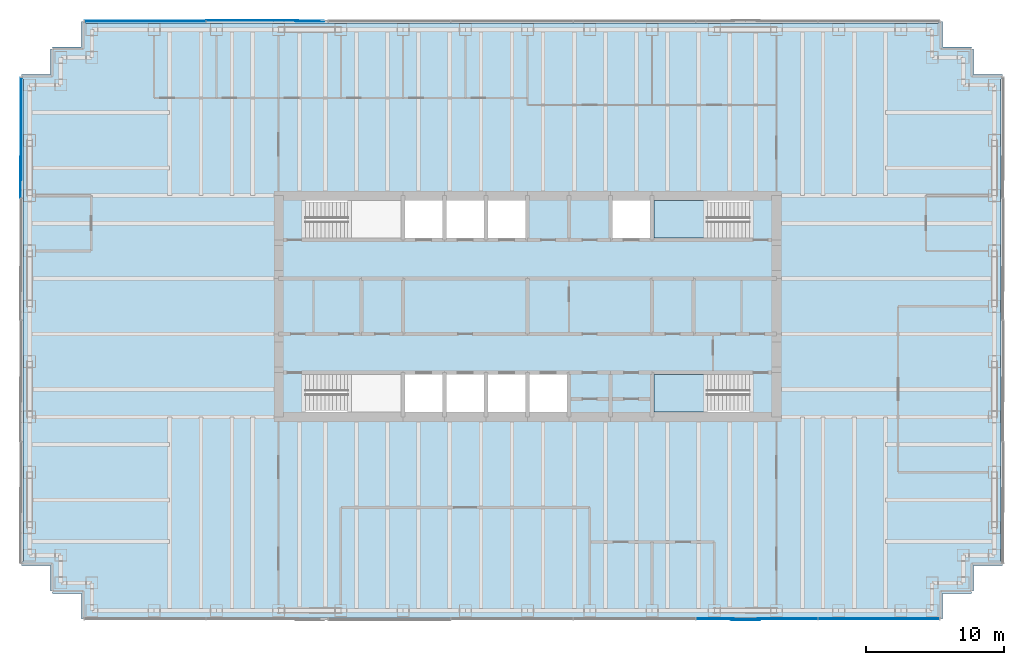
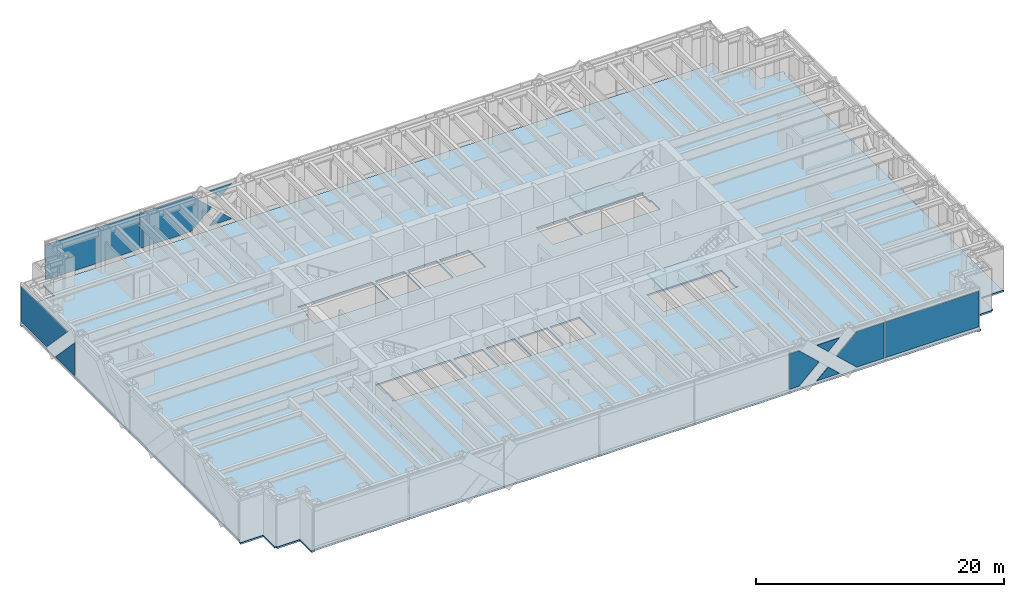
# One storey, part 11 of 17: 11 plates, 3 slabs, 5 elements without a shape of their own.
"""IFC4 building model written with IfcOpenShell, lengths in metres."""

from ifc_helpers import new_model, si_unit, direction, frame, origin, origin_2d, place, context, subcontext, project, spatial, polyline, rectangle, outline, extrude, material, layer, layer_set, type_object, element, aggregate, save


model = new_model("IFC4")

# Units and contexts
model_context = context("Model", 3, precision=1e-05, world=origin(), true_north=direction((0.0, 1.0)))
body_context = subcontext(model_context, "Body", "Model", "MODEL_VIEW")
ifc_project = project(units=[si_unit("LENGTHUNIT", "METRE"), si_unit("AREAUNIT", "SQUARE_METRE"), si_unit("VOLUMEUNIT", "CUBIC_METRE"), si_unit("PLANEANGLEUNIT", "RADIAN"), si_unit("MASSUNIT", "GRAM", prefix="KILO")], contexts=[model_context])

# Site, building, storey
site_placement = place(None, origin())
site = spatial("IfcSite", under=ifc_project, at=site_placement, CompositionType="ELEMENT")
building_placement = place(site_placement, origin())
building = spatial("IfcBuilding", under=site, at=building_placement, Name="Rheinbord Bourse Tower", CompositionType="ELEMENT")
storey_placement = place(building_placement, frame((0.0, 0.0, 317.300048828125)))
storey = spatial("IfcBuildingStorey", under=building, at=storey_placement, Name="L72", CompositionType="ELEMENT", Elevation=317.300048828125)

# Slab
ifc_material_1 = material(Name="Concrete C30/37", Category="concrete")
ifc_layer_1 = layer(ifc_material_1, 0.159912109375)
ifc_layer_set_1 = layer_set([ifc_layer_1], Name="COMPOSITE FLOOR SLAB 160")
slab_type_1 = type_object("IfcSlabType", Name="COMPOSITE FLOOR SLAB 160", PredefinedType="FLOOR", material=ifc_layer_set_1)
slab_1_placement = place(storey_placement, frame((0.0, 0.0, -0.16015625)))
element("IfcSlab", 1, at=slab_1_placement, inside=storey, type_object=slab_type_1, Name="Floor slab L72", PredefinedType="FLOOR", context=body_context, shape_type="SweptSolid", body=[
    extrude(outline(polyline([(1.64990234375, 3.39990234375), (1.5, 3.39990234375), (1.5, 5.25), (-0.60009765625, 5.25), (-0.60009765625, 5.550048828125), (-0.5, 5.550048828125), (-0.5, 40.449951171875), (-0.60009765625, 40.449951171875), (-0.60009765625, 40.75), (1.5, 40.75), (1.5, 42.60009765625), (1.64990234375, 42.60009765625), (1.64990234375, 42.75), (3.75, 42.75), (3.75, 44.60009765625), (4.050048828125, 44.60009765625), (4.050048828125, 44.5), (65.699951171875, 44.5), (65.699951171875, 44.60009765625), (66.0, 44.60009765625), (66.0, 42.75), (68.10009765625, 42.75), (68.10009765625, 42.60009765625), (68.25, 42.60009765625), (68.25, 40.75), (70.35009765625, 40.75), (70.35009765625, 40.449951171875), (70.25, 40.449951171875), (70.25, 5.550048828125), (70.35009765625, 5.550048828125), (70.35009765625, 5.25), (68.25, 5.25), (68.25, 3.39990234375), (68.10009765625, 3.39990234375), (68.10009765625, 3.25), (66.0, 3.25), (66.0, 1.39990234375), (65.699951171875, 1.39990234375), (65.699951171875, 1.5), (4.050048828125, 1.5), (4.050048828125, 1.39990234375), (3.75, 1.39990234375), (3.75, 3.25), (1.64990234375, 3.25), (1.64990234375, 3.39990234375)]), holes=[polyline([(19.949951171875, 19.050048828125), (26.85009765625, 19.050048828125), (26.85009765625, 16.35009765625), (19.949951171875, 16.35009765625), (19.949951171875, 16.449951171875), (20.10009765625, 16.449951171875), (20.10009765625, 17.64990234375), (19.949951171875, 17.64990234375), (19.949951171875, 19.050048828125)]), polyline([(19.949951171875, 31.64990234375), (26.85009765625, 31.64990234375), (26.85009765625, 28.949951171875), (19.949951171875, 28.949951171875), (19.949951171875, 30.35009765625), (20.10009765625, 30.35009765625), (20.10009765625, 31.550048828125), (19.949951171875, 31.550048828125), (19.949951171875, 31.64990234375)]), polyline([(52.050048828125, 16.35009765625), (45.14990234375, 16.35009765625), (45.14990234375, 19.050048828125), (52.050048828125, 19.050048828125), (52.050048828125, 17.64990234375), (51.89990234375, 17.64990234375), (51.89990234375, 16.449951171875), (52.050048828125, 16.449951171875), (52.050048828125, 16.35009765625)]), polyline([(52.050048828125, 28.949951171875), (45.14990234375, 28.949951171875), (45.14990234375, 31.64990234375), (52.050048828125, 31.64990234375), (52.050048828125, 31.550048828125), (51.89990234375, 31.550048828125), (51.89990234375, 30.35009765625), (52.050048828125, 30.35009765625), (52.050048828125, 28.949951171875)]), polyline([(27.14990234375, 16.35009765625), (27.14990234375, 19.050048828125), (29.85009765625, 19.050048828125), (29.85009765625, 16.35009765625), (27.14990234375, 16.35009765625)]), polyline([(27.14990234375, 28.949951171875), (27.14990234375, 31.64990234375), (29.85009765625, 31.64990234375), (29.85009765625, 28.949951171875), (27.14990234375, 28.949951171875)]), polyline([(30.14990234375, 16.35009765625), (30.14990234375, 19.050048828125), (32.85009765625, 19.050048828125), (32.85009765625, 16.35009765625), (30.14990234375, 16.35009765625)]), polyline([(30.14990234375, 28.949951171875), (30.14990234375, 31.64990234375), (32.85009765625, 31.64990234375), (32.85009765625, 28.949951171875), (30.14990234375, 28.949951171875)]), polyline([(33.14990234375, 16.35009765625), (33.14990234375, 19.050048828125), (35.85009765625, 19.050048828125), (35.85009765625, 16.35009765625), (33.14990234375, 16.35009765625)]), polyline([(33.14990234375, 28.949951171875), (33.14990234375, 31.64990234375), (35.85009765625, 31.64990234375), (35.85009765625, 28.949951171875), (33.14990234375, 28.949951171875)]), polyline([(36.14990234375, 16.35009765625), (36.14990234375, 19.050048828125), (38.85009765625, 19.050048828125), (38.85009765625, 16.35009765625), (36.14990234375, 16.35009765625)]), polyline([(42.14990234375, 28.949951171875), (42.14990234375, 31.64990234375), (44.85009765625, 31.64990234375), (44.85009765625, 28.949951171875), (42.14990234375, 28.949951171875)])]), origin(), (0.0, 0.0, 1.0), 0.16015625),
])

# Curtain wall, plates
ifc_material_2 = material(Name="Dark glass and black aluminium", Category="aluminium")
curtain_wall_type = type_object("IfcCurtainWallType", Name="CW3 DARK GLASS CURTAIN WALL", PredefinedType="USERDEFINED", material=ifc_material_2)
curtain_wall_1_placement = place(storey_placement, origin())
curtain_wall_1 = element("IfcCurtainWall", 2, at=curtain_wall_1_placement, inside=storey, type_object=curtain_wall_type, Name="Curtain wall CW3 S L72", ObjectType="UNITISED CURTAIN WALL", PredefinedType="USERDEFINED")
ifc_material_3 = material(Name="Dark tinted triple insulating glass", Category="glass")
ifc_layer_2 = layer(ifc_material_3, 0.055908203125)
ifc_layer_set_2 = layer_set([ifc_layer_2], Name="CW3 DARK GLASS PANEL")
plate_type = type_object("IfcPlateType", Name="CW3 DARK GLASS PANEL", PredefinedType="CURTAIN_PANEL", material=ifc_layer_set_2)
plate_1_placement = place(storey_placement, frame((61.40869140625, 1.39990234375, 0.349853515625), z_axis=(0.0, 0.0, 1.0), x_axis=(1.0, 0.0, 0.0)))
plate_1 = element("IfcPlate", 3, at=plate_1_placement, type_object=plate_type, Name="CW3 panel 7.1", PredefinedType="CURTAIN_PANEL", context=body_context, shape_type="SweptSolid", body=[
    extrude(rectangle(XDim=8.75244140625, YDim=0.055908203125, at=origin_2d()), origin(), (0.0, 0.0, 1.0), 3.5),
])
plate_2_placement = place(storey_placement, frame((48.181884765625, 1.3720703125, 0.349853515625), z_axis=(0.0, 1.0, 0.0), x_axis=(0.0, 0.0, 1.0)))
plate_2 = element("IfcPlate", 4, at=plate_2_placement, type_object=plate_type, Name="CW3 glass facet 1", PredefinedType="CURTAIN_PANEL", context=body_context, shape_type="SweptSolid", body=[
    extrude(outline(polyline([(0.0, 0.0), (3.5, 0.0), (3.5, 0.881103515625), (1.75, 2.756103515625), (0.0, 0.881103515625), (0.0, 0.0)])), origin(), (0.0, 0.0, 1.0), 0.055908203125),
])
plate_3_placement = place(storey_placement, frame((50.68701171875, 1.31103515625, 0.349853515625), z_axis=(0.0, 1.0, 0.0), x_axis=(0.731032934472, 0.0, 0.682342178616)))
plate_3 = element("IfcPlate", 5, at=plate_3_placement, type_object=plate_type, Name="CW3 glass facet 2", PredefinedType="CURTAIN_PANEL", context=body_context, shape_type="SweptSolid", body=[
    extrude(outline(polyline([(0.0, 0.0), (1.4541015625, 0.0), (1.55419921875, 1.45068359375), (0.0, 0.0)])), origin(), (0.0, 0.0, 1.0), 0.055908203125),
])
plate_4_placement = place(storey_placement, frame((52.81298828125, 1.31103515625, 3.849853515625), z_axis=(0.0, 1.0, 0.0), x_axis=(-0.731116689111, 0.0, -0.682252436348)))
plate_4 = element("IfcPlate", 6, at=plate_4_placement, type_object=plate_type, Name="CW3 glass facet 3", PredefinedType="CURTAIN_PANEL", context=body_context, shape_type="SweptSolid", body=[
    extrude(outline(polyline([(0.0, 0.0), (1.453857421875, 0.0), (1.554443359375, 1.450439453125), (0.0, 0.0)])), origin(), (0.0, 0.0, 1.0), 0.055908203125),
])
plate_5_placement = place(storey_placement, frame((56.967041015625, 1.3720703125, 3.849853515625), z_axis=(0.0, 1.0, 0.0), x_axis=(0.0, 0.0, -1.0)))
plate_5 = element("IfcPlate", 7, at=plate_5_placement, type_object=plate_type, Name="CW3 glass facet 4", PredefinedType="CURTAIN_PANEL", context=body_context, shape_type="SweptSolid", body=[
    extrude(outline(polyline([(0.0, 0.0), (3.5, 0.0), (3.5, 2.530029296875), (1.75, 4.405029296875), (0.0, 2.530029296875), (0.0, 0.0)])), origin(), (0.0, 0.0, 1.0), 0.055908203125),
])
aggregate(curtain_wall_1, [plate_1, plate_2, plate_3, plate_4, plate_5])

curtain_wall_2_placement = place(storey_placement, origin())
curtain_wall_2 = element("IfcCurtainWall", 8, at=curtain_wall_2_placement, inside=storey, type_object=curtain_wall_type, Name="Curtain wall CW3 N L72", ObjectType="UNITISED CURTAIN WALL", PredefinedType="USERDEFINED")
plate_6_placement = place(storey_placement, frame((8.34130859375, 44.60009765625, 0.349853515625), z_axis=(0.0, 0.0, 1.0), x_axis=(-1.0, 0.0, 0.0)))
plate_6 = element("IfcPlate", 9, at=plate_6_placement, type_object=plate_type, Name="CW3 panel 7.1", PredefinedType="CURTAIN_PANEL", context=body_context, shape_type="SweptSolid", body=[
    extrude(rectangle(XDim=8.75244140625, YDim=0.055908203125, at=origin_2d()), origin(), (0.0, 0.0, 1.0), 3.5),
])
plate_7_placement = place(storey_placement, frame((21.31298828125, 44.6279296875, 0.349853515625), z_axis=(0.0, -1.0, 0.0), x_axis=(-0.731032934472, 0.0, 0.682342178616)))
plate_7 = element("IfcPlate", 10, at=plate_7_placement, type_object=plate_type, Name="CW3 glass facet 2", PredefinedType="CURTAIN_PANEL", context=body_context, shape_type="SweptSolid", body=[
    extrude(outline(polyline([(0.0, 0.0), (1.4541015625, 0.0), (1.55419921875, 1.45068359375), (0.0, 0.0)])), origin(), (0.0, 0.0, 1.0), 0.055908203125),
])
plate_8_placement = place(storey_placement, frame((19.18701171875, 44.6279296875, 3.849853515625), z_axis=(0.0, -1.0, 0.0), x_axis=(0.731116689111, 0.0, -0.682252436348)))
plate_8 = element("IfcPlate", 11, at=plate_8_placement, type_object=plate_type, Name="CW3 glass facet 3", PredefinedType="CURTAIN_PANEL", context=body_context, shape_type="SweptSolid", body=[
    extrude(outline(polyline([(0.0, 0.0), (1.453857421875, 0.0), (1.554443359375, 1.450439453125), (0.0, 0.0)])), origin(), (0.0, 0.0, 1.0), 0.055908203125),
])
plate_9_placement = place(storey_placement, frame((12.781982421875, 44.68896484375, 3.849853515625), z_axis=(0.0, -1.0, 0.0), x_axis=(0.0, 0.0, -1.0)))
plate_9 = element("IfcPlate", 12, at=plate_9_placement, type_object=plate_type, Name="CW3 glass facet 4", PredefinedType="CURTAIN_PANEL", context=body_context, shape_type="SweptSolid", body=[
    extrude(outline(polyline([(0.0, 0.0), (3.5, 0.0), (3.5, 4.781005859375), (1.75, 6.656005859375), (0.0, 4.781005859375), (0.0, 0.0)])), origin(), (0.0, 0.0, 1.0), 0.055908203125),
])
aggregate(curtain_wall_2, [plate_6, plate_7, plate_8, plate_9])

curtain_wall_3_placement = place(storey_placement, origin())
curtain_wall_3 = element("IfcCurtainWall", 13, at=curtain_wall_3_placement, inside=storey, type_object=curtain_wall_type, Name="Curtain wall CW3 W L72", ObjectType="UNITISED CURTAIN WALL", PredefinedType="USERDEFINED")
plate_10_placement = place(storey_placement, frame((-0.6279296875, 40.534912109375, 0.349853515625), z_axis=(1.0, 0.0, 0.0), x_axis=(0.0, 0.0, 1.0)))
plate_10 = element("IfcPlate", 14, at=plate_10_placement, type_object=plate_type, Name="CW3 glass facet 1", PredefinedType="CURTAIN_PANEL", context=body_context, shape_type="SweptSolid", body=[
    extrude(outline(polyline([(0.0, 0.0), (3.5, 0.0), (3.5, 7.43701171875), (0.0, 4.10302734375), (0.0, 0.0)])), origin(), (0.0, 0.0, 1.0), 0.055908203125),
])
plate_11_placement = place(storey_placement, frame((-0.68896484375, 31.8330078125, 0.349853515625), z_axis=(1.0, 0.0, 0.0), x_axis=(0.0, 1.0, 0.0)))
plate_11 = element("IfcPlate", 15, at=plate_11_placement, type_object=plate_type, Name="CW3 glass facet 2", PredefinedType="CURTAIN_PANEL", context=body_context, shape_type="SweptSolid", body=[
    extrude(outline(polyline([(0.0, 0.0), (3.069091796875, 0.0), (0.0, 3.22314453125), (0.0, 0.0)])), origin(), (0.0, 0.0, 1.0), 0.055908203125),
])
aggregate(curtain_wall_3, [plate_10, plate_11])

# Stair, slab
ifc_material_4 = material(Name="Concrete C30/37", Category="concrete")
stair_type = type_object("IfcStairType", Name="CORE STAIR HALF TURN 4200", PredefinedType="HALF_TURN_STAIR", material=ifc_material_4)
stair_1_placement = place(storey_placement, origin())
stair_1 = element("IfcStair", 16, at=stair_1_placement, inside=storey, type_object=stair_type, Name="Stair ST3 L72, type CS6", PredefinedType="HALF_TURN_STAIR")
ifc_material_5 = material(Name="Concrete C30/37", Category="concrete")
ifc_layer_3 = layer(ifc_material_5, 0.199951171875)
ifc_layer_set_3 = layer_set([ifc_layer_3], Name="STAIR LANDING 200")
slab_type_2 = type_object("IfcSlabType", Name="STAIR LANDING 200", PredefinedType="LANDING", material=ifc_layer_set_3)
slab_2_placement = place(storey_placement, frame((0.0, 0.0, 1.89990234375)))
slab_2 = element("IfcSlab", 17, at=slab_2_placement, type_object=slab_type_2, Name="Half landing ST3 L72", PredefinedType="LANDING", context=body_context, shape_type="SweptSolid", body=[
    extrude(outline(polyline([(45.14990234375, 16.35009765625), (48.969970703125, 16.35009765625), (48.969970703125, 17.85009765625), (50.251953125, 17.85009765625), (50.251953125, 19.050048828125), (45.14990234375, 19.050048828125), (45.14990234375, 16.35009765625)])), origin(), (0.0, 0.0, 1.0), 0.199951171875),
])
aggregate(stair_1, [slab_2])

stair_2_placement = place(storey_placement, origin())
stair_2 = element("IfcStair", 18, at=stair_2_placement, inside=storey, type_object=stair_type, Name="Stair ST4 L72, type CS6", PredefinedType="HALF_TURN_STAIR")
slab_3_placement = place(storey_placement, frame((0.0, 0.0, 1.89990234375)))
slab_3 = element("IfcSlab", 19, at=slab_3_placement, type_object=slab_type_2, Name="Half landing ST4 L72", PredefinedType="LANDING", context=body_context, shape_type="SweptSolid", body=[
    extrude(outline(polyline([(45.14990234375, 28.949951171875), (50.251953125, 28.949951171875), (50.251953125, 30.14990234375), (48.969970703125, 30.14990234375), (48.969970703125, 31.64990234375), (45.14990234375, 31.64990234375), (45.14990234375, 28.949951171875)])), origin(), (0.0, 0.0, 1.0), 0.199951171875),
])
aggregate(stair_2, [slab_3])

save(model, "model.ifc")
